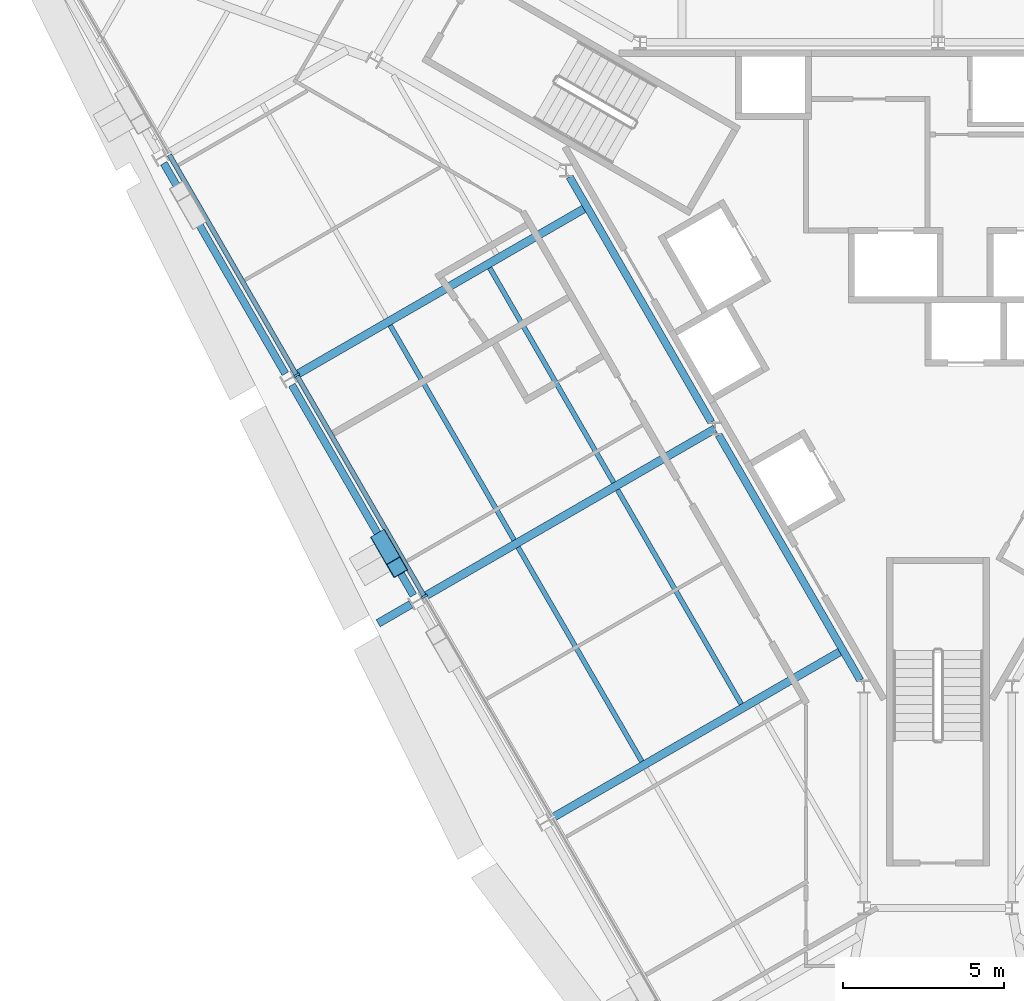
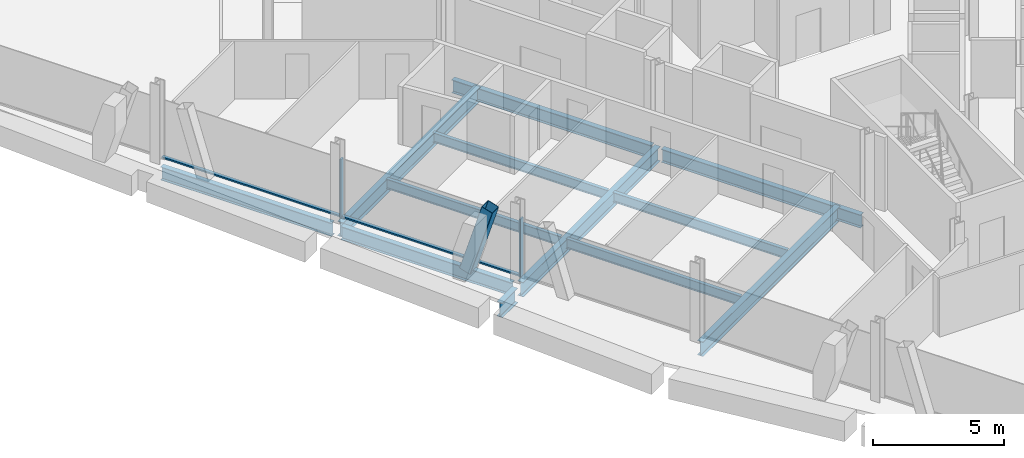
# One storey, part 4 of 14: 12 beams, 5 members, 1 element without a shape of its own.
"""IFC4 building model written with IfcOpenShell, lengths in metres."""

from ifc_helpers import new_model, si_unit, direction, frame, origin, origin_2d, place, context, subcontext, project, spatial, rectangle, hollow_rectangle, i_section, extrude, material, material_profile, profile_set, type_object, element, aggregate, save


model = new_model("IFC4")

# Units and contexts
model_context = context("Model", 3, precision=1e-05, world=origin(), true_north=direction((0.0, 1.0)))
body_context = subcontext(model_context, "Body", "Model", "MODEL_VIEW")
ifc_project = project(units=[si_unit("LENGTHUNIT", "METRE"), si_unit("AREAUNIT", "SQUARE_METRE"), si_unit("VOLUMEUNIT", "CUBIC_METRE"), si_unit("PLANEANGLEUNIT", "RADIAN"), si_unit("MASSUNIT", "GRAM", prefix="KILO")], contexts=[model_context])

# Site, building, storey
site_placement = place(None, origin())
site = spatial("IfcSite", under=ifc_project, at=site_placement, CompositionType="ELEMENT")
building_placement = place(site_placement, origin())
building = spatial("IfcBuilding", under=site, at=building_placement, Name="Verrane Prism Tower", CompositionType="ELEMENT")
storey_placement = place(building_placement, frame((0.0, 0.0, 193.199951171875)))
storey = spatial("IfcBuildingStorey", under=building, at=storey_placement, Name="L48", CompositionType="ELEMENT", Elevation=193.199951171875)

# Beams
ifc_material_1 = material(Name="Steel A992", Category="steel")
ifc_material_profile_1 = material_profile(ifc_material_1, i_section(OverallWidth=0.23046875, OverallDepth=0.6171875, WebThickness=0.01318359375, FlangeThickness=0.022216796875, FilletRadius=0.012939453125, at=origin_2d()), Name="W24x94")
ifc_profile_set_1 = profile_set([ifc_material_profile_1], Name="Steel A992")
beam_type_1 = type_object("IfcBeamType", Name="Core ring girder W24x94", PredefinedType="BEAM", material=ifc_profile_set_1)
beam_1_placement = place(storey_placement, frame((-11.44482421875, 3.820556640625, -0.55859375), z_axis=(0.499967414725, -0.866044216084, 0.0), x_axis=(0.866044216084, 0.499967414725, 0.0)))
element("IfcBeam", 1, at=beam_1_placement, inside=storey, type_object=beam_type_1, Name="Core ring girder L48", PredefinedType="BEAM", context=body_context, shape_type="SweptSolid", body=[
    extrude(i_section(OverallWidth=0.23046875, OverallDepth=0.6171875, WebThickness=0.01318359375, FlangeThickness=0.022216796875, FilletRadius=0.012939453125, at=origin_2d()), origin(), (0.0, 0.0, 1.0), 8.7998046875),
])
beam_2_placement = place(storey_placement, frame((-6.81494140625, -4.199462890625, -0.55859375), z_axis=(0.499988222896, -0.866032203192, 0.0), x_axis=(0.866032203192, 0.499988222896, 0.0)))
element("IfcBeam", 2, at=beam_2_placement, inside=storey, type_object=beam_type_1, Name="Core ring girder L48", PredefinedType="BEAM", context=body_context, shape_type="SweptSolid", body=[
    extrude(i_section(OverallWidth=0.23046875, OverallDepth=0.6171875, WebThickness=0.01318359375, FlangeThickness=0.022216796875, FilletRadius=0.012939453125, at=origin_2d()), origin(), (0.0, 0.0, 1.0), 8.800048828125),
])

# Member
ifc_material_2 = material(Name="Steel A500 Grade C", Category="steel")
ifc_material_profile_2 = material_profile(ifc_material_2, hollow_rectangle(XDim=0.508056640625, YDim=0.508056640625, WallThickness=0.01904296875, InnerFilletRadius=0.009521484375, OuterFilletRadius=0.028564453125, at=origin_2d()), Name="HSS20x20x3/4")
ifc_profile_set_2 = profile_set([ifc_material_profile_2], Name="Steel A500 Grade C")
member_type_1 = type_object("IfcMemberType", Name="Facade brace HSS20x20x3/4", PredefinedType="BRACE", material=ifc_profile_set_2)
member_1_placement = place(storey_placement, frame((-17.29833984375, -7.45849609375, -0.216552734375), z_axis=(0.146845944999, -0.254260358273, 0.955922558918), x_axis=(0.865953635734, 0.500124285313, 0.0)))
element("IfcMember", 3, at=member_1_placement, inside=storey, type_object=member_type_1, Name="Facade brace SW2 L48", PredefinedType="BRACE", context=body_context, shape_type="SweptSolid", body=[
    extrude(hollow_rectangle(XDim=0.508056640625, YDim=0.508056640625, WallThickness=0.01904296875, InnerFilletRadius=0.009521484375, OuterFilletRadius=0.028564453125, at=origin_2d()), origin(), (0.0, 0.0, 1.0), 3.343505859375),
])

# Beams
ifc_material_3 = material(Name="Steel A992", Category="steel")
ifc_material_profile_3 = material_profile(ifc_material_3, i_section(OverallWidth=0.15234375, OverallDepth=0.449462890625, WebThickness=0.007568359375, FlangeThickness=0.0107421875, FilletRadius=0.01025390625, at=origin_2d()), Name="W18x35")
ifc_profile_set_3 = profile_set([ifc_material_profile_3], Name="Steel A992")
beam_type_2 = type_object("IfcBeamType", Name="Floor beam W18x35", PredefinedType="BEAM", material=ifc_profile_set_3)
beam_3_placement = place(storey_placement, frame((-10.0771484375, -5.6796875, -0.384765625), z_axis=(-0.499983011228, 0.866035212034, 0.0), x_axis=(-0.866035212034, -0.499983011228, 0.0)))
element("IfcBeam", 4, at=beam_3_placement, inside=storey, type_object=beam_type_2, Name="Floor beam L48", PredefinedType="BEAM", context=body_context, shape_type="SweptSolid", body=[
    extrude(i_section(OverallWidth=0.15234375, OverallDepth=0.449462890625, WebThickness=0.007568359375, FlangeThickness=0.0107421875, FilletRadius=0.01025390625, at=origin_2d()), origin(), (0.0, 0.0, 1.0), 7.705322265625),
])
beam_4_placement = place(storey_placement, frame((-13.171142578125, -7.46533203125, -0.384765625), z_axis=(-0.499990362368, 0.866030968003, 0.0), x_axis=(-0.866030968003, -0.499990362368, 0.0)))
element("IfcBeam", 5, at=beam_4_placement, inside=storey, type_object=beam_type_2, Name="Floor beam L48", PredefinedType="BEAM", context=body_context, shape_type="SweptSolid", body=[
    extrude(i_section(OverallWidth=0.15234375, OverallDepth=0.449462890625, WebThickness=0.007568359375, FlangeThickness=0.0107421875, FilletRadius=0.01025390625, at=origin_2d()), origin(), (0.0, 0.0, 1.0), 7.704345703125),
])
for number, where, z_axis, x_axis, name in (
    (6, (-6.1123046875, -12.562744140625, -0.384765625), (-0.500004621041, 0.866022735809, 0.0), (-0.866022735809, -0.500004621041, 0.0), "Floor beam L48"),
    (7, (-9.202880859375, -14.346435546875, -0.384765625), (-0.500004621041, 0.866022735809, 0.0), (-0.866022735809, -0.500004621041, 0.0), "Floor beam L48"),
):
    element("IfcBeam", number, at=place(storey_placement, frame(where, z_axis=z_axis, x_axis=x_axis)), inside=storey, type_object=beam_type_2, Name=name, PredefinedType="BEAM", context=body_context, shape_type="SweptSolid", body=[
        extrude(i_section(OverallWidth=0.15234375, OverallDepth=0.449462890625, WebThickness=0.007568359375, FlangeThickness=0.0107421875, FilletRadius=0.01025390625, at=origin_2d()), origin(), (0.0, 0.0, 1.0), 7.689453125),
    ])

# Curtain wall, members
ifc_material_4 = material(Name="Aluminium framed insulated glazing", Category="aluminium")
curtain_wall_type = type_object("IfcCurtainWallType", Name="Curtain wall CW-A 8400 module", PredefinedType="NOTDEFINED", material=ifc_material_4)
curtain_wall_placement = place(storey_placement, origin())
curtain_wall = element("IfcCurtainWall", 8, at=curtain_wall_placement, inside=storey, type_object=curtain_wall_type, Name="Glazed curtain wall south-west face L48", PredefinedType="NOTDEFINED")
ifc_material_5 = material(Name="Aluminium alloy 6063-T6", Category="aluminium")
ifc_material_profile_4 = material_profile(ifc_material_5, rectangle(XDim=0.199951171875, YDim=0.070068359375, at=origin_2d()), Name="Mullion 70x200 aluminium")
ifc_profile_set_4 = profile_set([ifc_material_profile_4], Name="Aluminium alloy 6063-T6")
member_type_2 = type_object("IfcMemberType", Name="Mullion 70x200 aluminium", PredefinedType="MULLION", material=ifc_profile_set_4)
member_2_placement = place(storey_placement, frame((-19.9306640625, -2.34130859375, 0.0), z_axis=(0.0, 0.0, 1.0), x_axis=(0.866025652206, 0.499999569721, 0.0)))
member_2 = element("IfcMember", 9, at=member_2_placement, type_object=member_type_2, Name="CW47.4 mullion 3", PredefinedType="MULLION", context=body_context, shape_type="SweptSolid", body=[
    extrude(rectangle(XDim=0.199951171875, YDim=0.070068359375, at=origin_2d()), origin(), (0.0, 0.0, 1.0), 2.712890625),
])
member_3_placement = place(storey_placement, frame((-15.961669921875, -9.215576171875, 0.0), z_axis=(0.0, 0.0, 1.0), x_axis=(0.866025652206, 0.499999569721, 0.0)))
member_3 = element("IfcMember", 10, at=member_3_placement, type_object=member_type_2, Name="CW47.4 mullion 4", PredefinedType="MULLION", context=body_context, shape_type="SweptSolid", body=[
    extrude(rectangle(XDim=0.199951171875, YDim=0.070068359375, at=origin_2d()), origin(), (0.0, 0.0, 1.0), 2.712890625),
])

# Beams
ifc_material_6 = material(Name="Steel A992", Category="steel")
ifc_material_profile_5 = material_profile(ifc_material_6, i_section(OverallWidth=0.25390625, OverallDepth=0.683349609375, WebThickness=0.012451171875, FlangeThickness=0.01904296875, FilletRadius=0.01513671875, at=origin_2d()), Name="W27x94")
ifc_profile_set_5 = profile_set([ifc_material_profile_5], Name="Steel A992")
beam_type_3 = type_object("IfcBeamType", Name="Radial girder W27x94", PredefinedType="BEAM", material=ifc_profile_set_5)
beam_5_placement = place(storey_placement, frame((-19.99951171875, -2.365966796875, -0.5615234375), z_axis=(0.866019889578, 0.500009550764, 0.0), x_axis=(-0.500009550764, 0.866019889578, 0.0)))
element("IfcBeam", 11, at=beam_5_placement, inside=storey, type_object=beam_type_3, Name="Radial girder L48", PredefinedType="BEAM", context=body_context, shape_type="SweptSolid", body=[
    extrude(i_section(OverallWidth=0.25390625, OverallDepth=0.683349609375, WebThickness=0.012451171875, FlangeThickness=0.01904296875, FilletRadius=0.01513671875, at=origin_2d()), origin(), (0.0, 0.0, 1.0), 10.501708984375),
])
beam_6_placement = place(storey_placement, frame((-16.01953125, -9.255859375, -0.5615234375), z_axis=(0.866029539658, 0.499992836388, 0.0), x_axis=(-0.499992836388, 0.866029539658, 0.0)))
element("IfcBeam", 12, at=beam_6_placement, inside=storey, type_object=beam_type_3, Name="Radial girder L48", PredefinedType="BEAM", context=body_context, shape_type="SweptSolid", body=[
    extrude(i_section(OverallWidth=0.25390625, OverallDepth=0.683349609375, WebThickness=0.012451171875, FlangeThickness=0.01904296875, FilletRadius=0.01513671875, at=origin_2d()), origin(), (0.0, 0.0, 1.0), 10.499755859375),
])
beam_7_placement = place(storey_placement, frame((-12.049560546875, -16.135986328125, -0.5615234375), z_axis=(0.866024144196, 0.500002181665, 0.0), x_axis=(-0.500002181665, 0.866024144196, 0.0)))
element("IfcBeam", 13, at=beam_7_placement, inside=storey, type_object=beam_type_3, Name="Radial girder L48", PredefinedType="BEAM", context=body_context, shape_type="SweptSolid", body=[
    extrude(i_section(OverallWidth=0.25390625, OverallDepth=0.683349609375, WebThickness=0.012451171875, FlangeThickness=0.01904296875, FilletRadius=0.01513671875, at=origin_2d()), origin(), (0.0, 0.0, 1.0), 10.50146484375),
])
beam_8_placement = place(storey_placement, frame((-16.376953125, -9.462158203125, -0.5615234375), z_axis=(-0.8660508054, -0.499956000529, 0.0), x_axis=(0.499956000529, -0.8660508054, 0.0)))
element("IfcBeam", 14, at=beam_8_placement, inside=storey, type_object=beam_type_3, Name="Cantilever girder L48", PredefinedType="BEAM", context=body_context, shape_type="SweptSolid", body=[
    extrude(i_section(OverallWidth=0.25390625, OverallDepth=0.683349609375, WebThickness=0.012451171875, FlangeThickness=0.01904296875, FilletRadius=0.01513671875, at=origin_2d()), origin(), (0.0, 0.0, 1.0), 1.17626953125),
])
ifc_material_7 = material(Name="Steel A992", Category="steel")
ifc_material_profile_6 = material_profile(ifc_material_7, i_section(OverallWidth=0.23046875, OverallDepth=0.6171875, WebThickness=0.01318359375, FlangeThickness=0.022216796875, FilletRadius=0.012939453125, at=origin_2d()), Name="W24x94")
ifc_profile_set_6 = profile_set([ifc_material_profile_6], Name="Steel A992")
beam_type_4 = type_object("IfcBeamType", Name="Spandrel beam W24x94", PredefinedType="SPANDREL", material=ifc_profile_set_6)
beam_9_placement = place(storey_placement, frame((-24.058349609375, 4.243896484375, -0.468505859375), z_axis=(0.500221570343, -0.865897442289, 0.0), x_axis=(0.865897442289, 0.500221570343, 0.0)))
element("IfcBeam", 15, at=beam_9_placement, inside=storey, type_object=beam_type_4, Name="Spandrel beam L48", PredefinedType="SPANDREL", context=body_context, shape_type="SweptSolid", body=[
    extrude(i_section(OverallWidth=0.23046875, OverallDepth=0.6171875, WebThickness=0.01318359375, FlangeThickness=0.022216796875, FilletRadius=0.012939453125, at=origin_2d()), origin(), (0.0, 0.0, 1.0), 7.55029296875),
])
beam_10_placement = place(storey_placement, frame((-20.078369140625, -2.64599609375, -0.468505859375), z_axis=(0.500207565094, -0.865905532852, 0.0), x_axis=(0.865905532852, 0.500207565094, 0.0)))
element("IfcBeam", 16, at=beam_10_placement, inside=storey, type_object=beam_type_4, Name="Spandrel beam L48", PredefinedType="SPANDREL", context=body_context, shape_type="SweptSolid", body=[
    extrude(i_section(OverallWidth=0.23046875, OverallDepth=0.6171875, WebThickness=0.01318359375, FlangeThickness=0.022216796875, FilletRadius=0.012939453125, at=origin_2d()), origin(), (0.0, 0.0, 1.0), 7.550537109375),
])

# Member
ifc_material_8 = material(Name="Aluminium alloy 6063-T6", Category="aluminium")
ifc_material_profile_7 = material_profile(ifc_material_8, rectangle(XDim=0.14990234375, YDim=0.070068359375, at=origin_2d()), Name="Transom 70x150 aluminium")
ifc_profile_set_7 = profile_set([ifc_material_profile_7], Name="Aluminium alloy 6063-T6")
member_type_3 = type_object("IfcMemberType", Name="Transom 70x150 aluminium", PredefinedType="USERDEFINED", material=ifc_profile_set_7)
member_4_placement = place(storey_placement, frame((-23.8818359375, 4.502685546875, 0.03515625), z_axis=(0.49999374744, -0.866029013672, 0.0), x_axis=(0.866029013672, 0.49999374744, 0.0)))
member_4 = element("IfcMember", 17, at=member_4_placement, type_object=member_type_3, Name="CW47.4 transom 2", ObjectType="TRANSOM", PredefinedType="USERDEFINED", context=body_context, shape_type="SweptSolid", body=[
    extrude(rectangle(XDim=0.14990234375, YDim=0.070068359375, at=origin_2d()), origin(), (0.0, 0.0, 1.0), 7.86767578125),
])

member_5_placement = place(storey_placement, frame((-19.9130859375, -2.37158203125, 0.03515625), z_axis=(0.49999374744, -0.866029013672, 0.0), x_axis=(0.866029013672, 0.49999374744, 0.0)))
member_5 = element("IfcMember", 18, at=member_5_placement, type_object=member_type_3, Name="CW47.4 transom 3", ObjectType="TRANSOM", PredefinedType="USERDEFINED", context=body_context, shape_type="SweptSolid", body=[
    extrude(rectangle(XDim=0.14990234375, YDim=0.070068359375, at=origin_2d()), origin(), (0.0, 0.0, 1.0), 7.86767578125),
])

aggregate(curtain_wall, [member_2, member_3, member_4, member_5])

save(model, "model.ifc")
